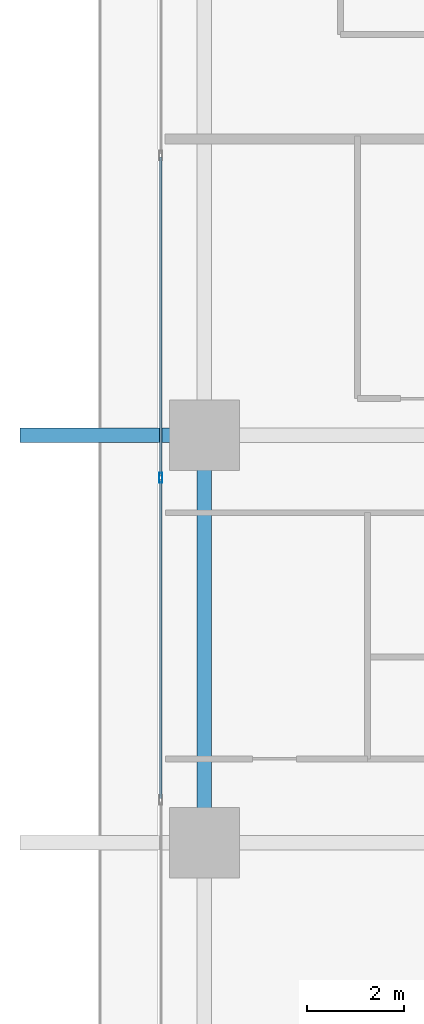
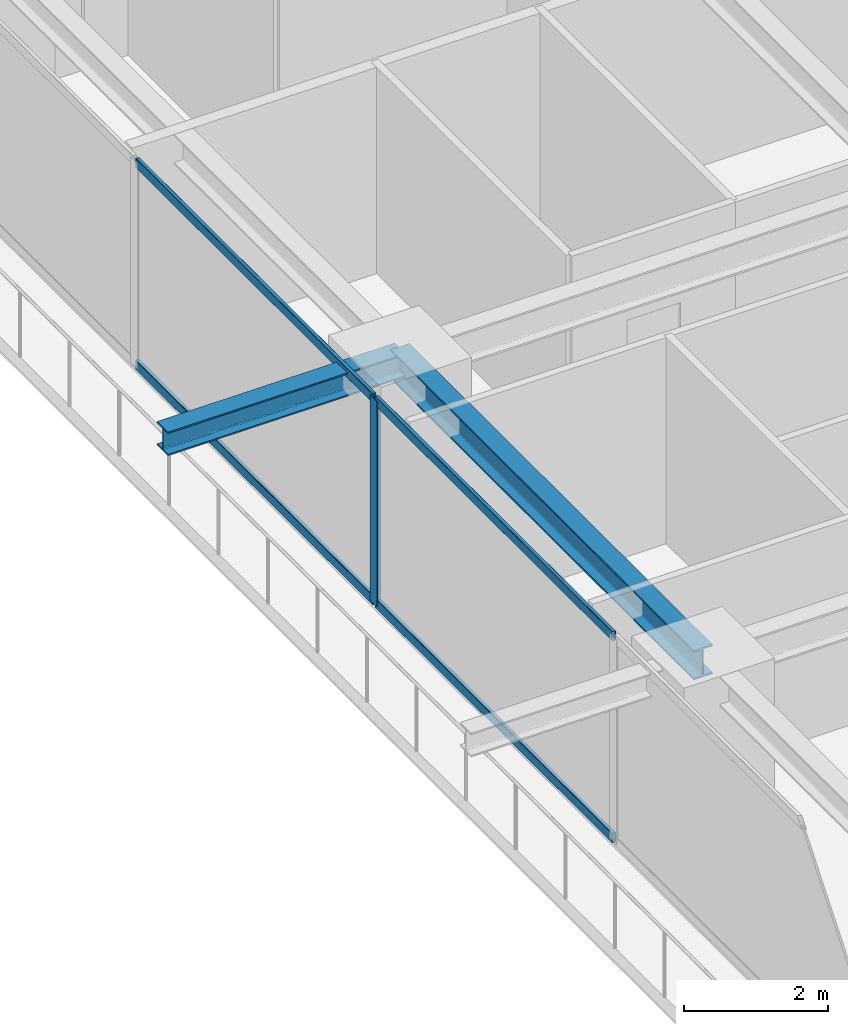
# One storey, part 8 of 38: 5 members, 2 beams, 1 element without a shape of its own.
"""IFC4 building model written with IfcOpenShell, lengths in metres."""

from ifc_helpers import new_model, si_unit, direction, frame, origin, origin_2d, place, context, subcontext, project, spatial, hollow_rectangle, i_section, extrude, source, transform, mapped, material, layer, layer_set, material_profile, profile_set, type_object, element, aggregate, save


model = new_model("IFC4")

# Units and contexts
model_context = context("Model", 3, precision=1e-05, world=origin(), true_north=direction((0.0, 1.0)))
body_context = subcontext(model_context, "Body", "Model", "MODEL_VIEW")
ifc_project = project(units=[si_unit("LENGTHUNIT", "METRE"), si_unit("AREAUNIT", "SQUARE_METRE"), si_unit("VOLUMEUNIT", "CUBIC_METRE"), si_unit("PLANEANGLEUNIT", "RADIAN"), si_unit("MASSUNIT", "GRAM", prefix="KILO")], contexts=[model_context])

# Site, building, storey
site_placement = place(None, origin())
site = spatial("IfcSite", under=ifc_project, at=site_placement, CompositionType="ELEMENT")
building_placement = place(site_placement, origin())
building = spatial("IfcBuilding", under=site, at=building_placement, Name="Serunith Strait Residences", CompositionType="ELEMENT")
storey_placement = place(building_placement, frame((0.0, 0.0, 82.949951171875)))
storey = spatial("IfcBuildingStorey", under=building, at=storey_placement, Name="L20", CompositionType="ELEMENT", Elevation=82.949951171875)

# Beams
ifc_material_1 = material(Name="Steel S355J2", Category="steel")
ifc_material_profile_1 = material_profile(ifc_material_1, i_section(OverallWidth=0.300048828125, OverallDepth=0.5, WebThickness=0.014404296875, FlangeThickness=0.028076171875, FilletRadius=0.027099609375, at=origin_2d()), Name="HEB 500")
ifc_profile_set_1 = profile_set([ifc_material_profile_1], Name="Steel S355J2")
beam_type_1 = type_object("IfcBeamType", Name="BM-HEB500", PredefinedType="BEAM", material=ifc_profile_set_1)
shared_shape_1 = source(origin(), body_context, "Body", "SweptSolid", [
    extrude(i_section(OverallWidth=0.300048828125, OverallDepth=0.5, WebThickness=0.014404296875, FlangeThickness=0.028076171875, FilletRadius=0.027099609375, at=origin_2d()), origin(), (0.0, 0.0, 1.0), 8.39990234375),
])
beam_1_placement = place(storey_placement, frame((6.89990234375, 29.39990234375, 3.237060546875), z_axis=(0.0, -1.0, 0.0), x_axis=(1.0, 0.0, 0.0)))
element("IfcBeam", 1, at=beam_1_placement, inside=storey, type_object=beam_type_1, Name="L20 Perimeter Ring Beam 14", PredefinedType="BEAM", context=body_context, shape_type="MappedRepresentation", body=[
    mapped(shared_shape_1, transform((0.0, 0.0, 0.0), scale=1.0)),
])
ifc_material_profile_2 = material_profile(ifc_material_1, i_section(OverallWidth=0.300048828125, OverallDepth=0.39990234375, WebThickness=0.013427734375, FlangeThickness=0.02392578125, FilletRadius=0.027099609375, at=origin_2d()), Name="HEB 400")
ifc_profile_set_2 = profile_set([ifc_material_profile_2], Name="Steel S355J2")
beam_type_2 = type_object("IfcBeamType", Name="BM-HEB400", PredefinedType="BEAM", material=ifc_profile_set_2)
shared_shape_2 = source(origin(), body_context, "Body", "SweptSolid", [
    extrude(i_section(OverallWidth=0.300048828125, OverallDepth=0.39990234375, WebThickness=0.013427734375, FlangeThickness=0.02392578125, FilletRadius=0.027099609375, at=origin_2d()), origin(), (0.0, 0.0, 1.0), 3.7998046875),
])
beam_2_placement = place(storey_placement, frame((6.89990234375, 29.39990234375, 3.257080078125), z_axis=(-1.0, 0.0, 0.0), x_axis=(0.0, -1.0, 0.0)))
element("IfcBeam", 2, at=beam_2_placement, inside=storey, type_object=beam_type_2, Name="L21 Cantilevered Balcony Rib TC-W3", PredefinedType="BEAM", context=body_context, shape_type="MappedRepresentation", body=[
    mapped(shared_shape_2, transform((0.0, 0.0, 0.0), scale=1.0)),
])

# Curtain wall, members
ifc_material_2 = material(Name="Pale-Champagne Anodised Aluminium", Category="aluminium")
ifc_layer = layer(ifc_material_2, 0.199951171875, Name="Pale-Champagne Anodised Aluminium")
ifc_layer_set = layer_set([ifc_layer], Name="Pale-Champagne Anodised Aluminium")
curtain_wall_type = type_object("IfcCurtainWallType", Name="CW-SYS1", PredefinedType="NOTDEFINED", material=ifc_layer_set)
curtain_wall_placement = place(storey_placement, origin())
curtain_wall = element("IfcCurtainWall", 3, at=curtain_wall_placement, inside=storey, type_object=curtain_wall_type, Name="L20 W Unitised Fritted Curtain Wall", PredefinedType="NOTDEFINED")
ifc_material_profile_3 = material_profile(ifc_material_2, hollow_rectangle(XDim=0.070068359375, YDim=0.199951171875, WallThickness=0.00390625, InnerFilletRadius=0.006103515625, OuterFilletRadius=0.010009765625, at=origin_2d()), Name="ALU 200x70x4")
ifc_profile_set_3 = profile_set([ifc_material_profile_3], Name="Pale-Champagne Anodised Aluminium")
member_type_1 = type_object("IfcMemberType", Name="CW-SYS1-MULL", PredefinedType="MULLION", material=ifc_profile_set_3)
shared_shape_3 = source(origin(), body_context, "Body", "SweptSolid", [
    extrude(hollow_rectangle(XDim=0.070068359375, YDim=0.199951171875, WallThickness=0.00390625, InnerFilletRadius=0.006103515625, OuterFilletRadius=0.010009765625, at=origin_2d()), origin(), (0.0, 0.0, 1.0), 3.47509765625),
])
member_1_placement = place(storey_placement, frame((6.0, 28.52001953125, 0.0), z_axis=(0.0, 0.0, 1.0), x_axis=(1.0, 0.0, 0.0)))
member_1 = element("IfcMember", 4, at=member_1_placement, type_object=member_type_1, Name="CW-1 mullion 3", PredefinedType="MULLION", context=body_context, shape_type="MappedRepresentation", body=[
    mapped(shared_shape_3, transform((0.0, 0.0, 0.0), scale=1.0)),
])
ifc_material_profile_4 = material_profile(ifc_material_2, hollow_rectangle(XDim=0.06005859375, YDim=0.159912109375, WallThickness=0.00341796875, InnerFilletRadius=0.00537109375, OuterFilletRadius=0.0087890625, at=origin_2d()), Name="ALU 160x60x3.5")
ifc_profile_set_4 = profile_set([ifc_material_profile_4], Name="Pale-Champagne Anodised Aluminium")
member_type_2 = type_object("IfcMemberType", Name="CW-SYS1-TRAN", PredefinedType="USERDEFINED", material=ifc_profile_set_4)
shared_shape_4 = source(origin(), body_context, "Body", "SweptSolid", [
    extrude(hollow_rectangle(XDim=0.06005859375, YDim=0.159912109375, WallThickness=0.00341796875, InnerFilletRadius=0.00537109375, OuterFilletRadius=0.0087890625, at=origin_2d()), origin(), (0.0, 0.0, 1.0), 6.570068359375),
])
member_2_placement = place(storey_placement, frame((6.0, 35.125, 0.030029296875), z_axis=(0.0, -1.0, 0.0), x_axis=(1.0, 0.0, 0.0)))
member_2 = element("IfcMember", 5, at=member_2_placement, type_object=member_type_2, Name="CW-1 transom 2.1", ObjectType="TRANSOM", PredefinedType="USERDEFINED", context=body_context, shape_type="MappedRepresentation", body=[
    mapped(shared_shape_4, transform((0.0, 0.0, 0.0), scale=1.0)),
])
member_3_placement = place(storey_placement, frame((6.0, 35.125, 3.445068359375), z_axis=(0.0, -1.0, 0.0), x_axis=(1.0, 0.0, 0.0)))
member_3 = element("IfcMember", 6, at=member_3_placement, type_object=member_type_2, Name="CW-1 transom 2.2", ObjectType="TRANSOM", PredefinedType="USERDEFINED", context=body_context, shape_type="MappedRepresentation", body=[
    mapped(shared_shape_4, transform((0.0, 0.0, 0.0), scale=1.0)),
])
member_4_placement = place(storey_placement, frame((6.0, 28.485107421875, 0.030029296875), z_axis=(0.0, -1.0, 0.0), x_axis=(1.0, 0.0, 0.0)))
member_4 = element("IfcMember", 7, at=member_4_placement, type_object=member_type_2, Name="CW-1 transom 3.1", ObjectType="TRANSOM", PredefinedType="USERDEFINED", context=body_context, shape_type="MappedRepresentation", body=[
    mapped(shared_shape_4, transform((0.0, 0.0, 0.0), scale=1.0)),
])
member_5_placement = place(storey_placement, frame((6.0, 28.485107421875, 3.445068359375), z_axis=(0.0, -1.0, 0.0), x_axis=(1.0, 0.0, 0.0)))
member_5 = element("IfcMember", 8, at=member_5_placement, type_object=member_type_2, Name="CW-1 transom 3.2", ObjectType="TRANSOM", PredefinedType="USERDEFINED", context=body_context, shape_type="MappedRepresentation", body=[
    mapped(shared_shape_4, transform((0.0, 0.0, 0.0), scale=1.0)),
])
aggregate(curtain_wall, [member_1, member_2, member_3, member_4, member_5])

save(model, "model.ifc")
